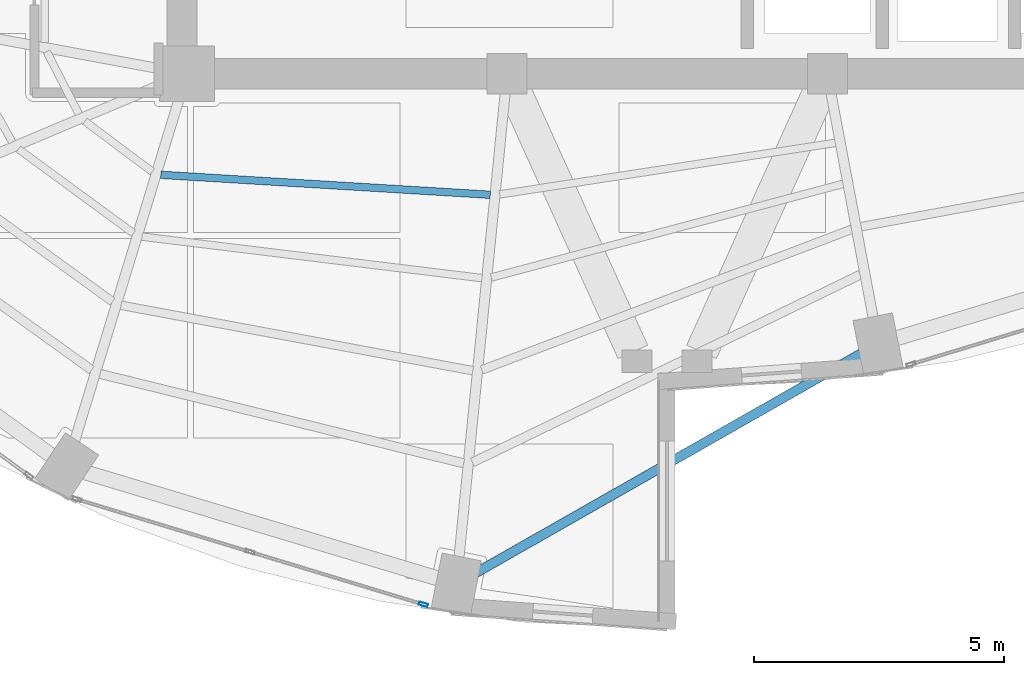
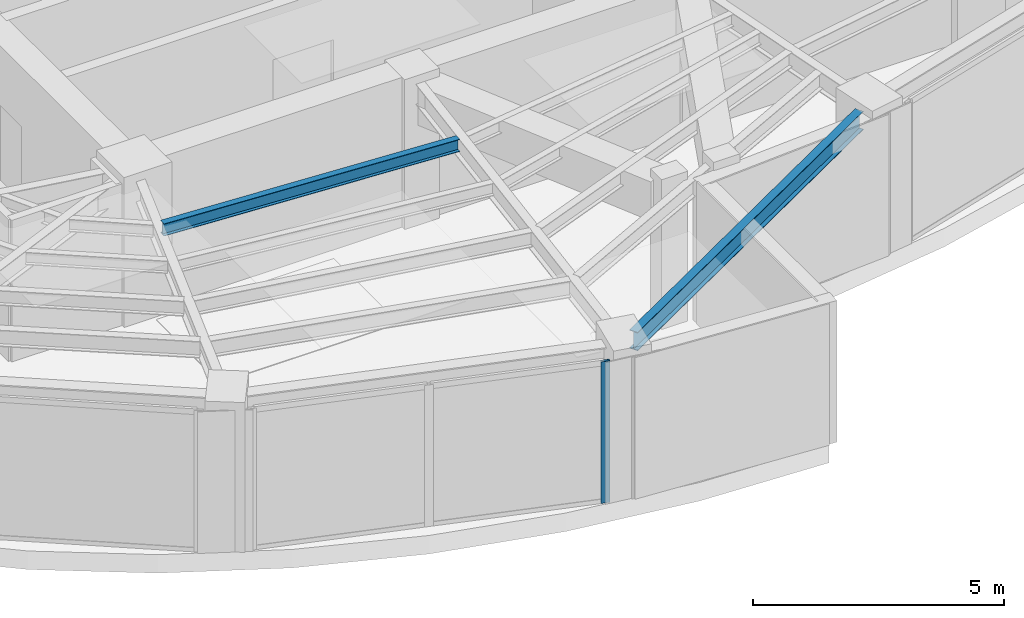
# One storey, part 5 of 23: 2 beams, 1 member, 1 element without a shape of its own.
"""IFC4 building model written with IfcOpenShell, lengths in metres."""

from ifc_helpers import new_model, si_unit, direction, frame, origin, origin_2d, place, context, subcontext, project, spatial, hollow_rectangle, i_section, extrude, material, layer, layer_set, material_profile, profile_set, type_object, element, aggregate, save


model = new_model("IFC4")

# Units and contexts
model_context = context("Model", 3, precision=1e-05, world=origin(), true_north=direction((0.0, 1.0)))
body_context = subcontext(model_context, "Body", "Model", "MODEL_VIEW")
ifc_project = project(units=[si_unit("LENGTHUNIT", "METRE"), si_unit("AREAUNIT", "SQUARE_METRE"), si_unit("VOLUMEUNIT", "CUBIC_METRE"), si_unit("PLANEANGLEUNIT", "RADIAN"), si_unit("MASSUNIT", "GRAM", prefix="KILO")], contexts=[model_context])

# Site, building, storey
site_placement = place(None, origin())
site = spatial("IfcSite", under=ifc_project, at=site_placement, CompositionType="ELEMENT")
building_placement = place(site_placement, origin())
building = spatial("IfcBuilding", under=site, at=building_placement, Name="Lazwardi Medical Tower", CompositionType="ELEMENT")
storey_placement = place(building_placement, frame((0.0, 0.0, 194.83203125)))
storey = spatial("IfcBuildingStorey", under=building, at=storey_placement, Name="L50", CompositionType="ELEMENT", Elevation=194.83203125)

# Beams
ifc_material_1 = material(Name="Steel S355", Category="steel")
ifc_material_profile_1 = material_profile(ifc_material_1, i_section(OverallWidth=0.14990234375, OverallDepth=0.300048828125, WebThickness=0.007080078125, FlangeThickness=0.0107421875, at=origin_2d()), Name="IPE 300")
ifc_profile_set_1 = profile_set([ifc_material_profile_1], Name="Steel S355")
beam_type_1 = type_object("IfcBeamType", Name="BM-SJ-03", PredefinedType="JOIST", material=ifc_profile_set_1)
beam_1_placement = place(storey_placement, frame((25.879150390625, 18.3798828125, 3.2978515625), z_axis=(0.998165515862, -0.060544223044, 0.0), x_axis=(0.060544223044, 0.998165515862, 0.0)))
element("IfcBeam", 1, at=beam_1_placement, inside=storey, type_object=beam_type_1, Name="Secondary joist SJ-03 R4 B15 L50", PredefinedType="JOIST", context=body_context, shape_type="SweptSolid", body=[
    extrude(i_section(OverallWidth=0.14990234375, OverallDepth=0.300048828125, WebThickness=0.007080078125, FlangeThickness=0.0107421875, at=origin_2d()), origin(), (0.0, 0.0, 1.0), 6.59716796875),
])
ifc_material_profile_2 = material_profile(ifc_material_1, i_section(OverallWidth=0.18994140625, OverallDepth=0.449951171875, WebThickness=0.009521484375, FlangeThickness=0.0146484375, at=origin_2d()), Name="IPE 450")
ifc_profile_set_2 = profile_set([ifc_material_profile_2], Name="Steel S355")
beam_type_2 = type_object("IfcBeamType", Name="BM-SP-01", PredefinedType="SPANDREL", material=ifc_profile_set_2)
beam_2_placement = place(storey_placement, frame((32.125, 10.394775390625, 3.222900390625), z_axis=(0.868954808466, 0.494891443494, 0.0), x_axis=(-0.494891443494, 0.868954808466, 0.0)))
element("IfcBeam", 2, at=beam_2_placement, inside=storey, type_object=beam_type_2, Name="Spandrel beam SP-01 B16 L50", PredefinedType="SPANDREL", context=body_context, shape_type="SweptSolid", body=[
    extrude(i_section(OverallWidth=0.18994140625, OverallDepth=0.449951171875, WebThickness=0.009521484375, FlangeThickness=0.0146484375, at=origin_2d()), origin(), (0.0, 0.0, 1.0), 8.918701171875),
])

# Curtain wall, member
ifc_material_2 = material(Name="Anodised bronze aluminium and solar control glazing", Category="aluminium")
ifc_layer = layer(ifc_material_2, 0.18994140625)
ifc_layer_set = layer_set([ifc_layer], Name="Anodised bronze aluminium and solar control glazing")
curtain_wall_type = type_object("IfcCurtainWallType", Name="CW-SYS-04", PredefinedType="NOTDEFINED", material=ifc_layer_set)
curtain_wall_placement = place(storey_placement, origin())
curtain_wall = element("IfcCurtainWall", 3, at=curtain_wall_placement, inside=storey, type_object=curtain_wall_type, Name="L50 Unitised bronze curtain wall CW-04", PredefinedType="NOTDEFINED")
ifc_material_3 = material(Name="Anodised bronze aluminium", Category="aluminium")
ifc_material_profile_3 = material_profile(ifc_material_3, hollow_rectangle(XDim=0.06494140625, YDim=0.179931640625, WallThickness=0.00390625, at=origin_2d()), Name="ALU-MULLION 180x65x4")
ifc_profile_set_3 = profile_set([ifc_material_profile_3], Name="Anodised bronze aluminium")
member_type = type_object("IfcMemberType", Name="CW-MUL-03", PredefinedType="MULLION", material=ifc_profile_set_3)
member_placement = place(storey_placement, frame((31.126953125, 9.79296875, 0.0), z_axis=(0.0, 0.0, 1.0), x_axis=(0.290581889515, 0.956850126972, 0.0)))
member = element("IfcMember", 4, at=member_placement, type_object=member_type, Name="CW-04 mullion 3", PredefinedType="MULLION", context=body_context, shape_type="SweptSolid", body=[
    extrude(hollow_rectangle(XDim=0.06494140625, YDim=0.179931640625, WallThickness=0.00390625, at=origin_2d()), origin(), (0.0, 0.0, 1.0), 3.447998046875),
])
aggregate(curtain_wall, [member])

save(model, "model.ifc")
